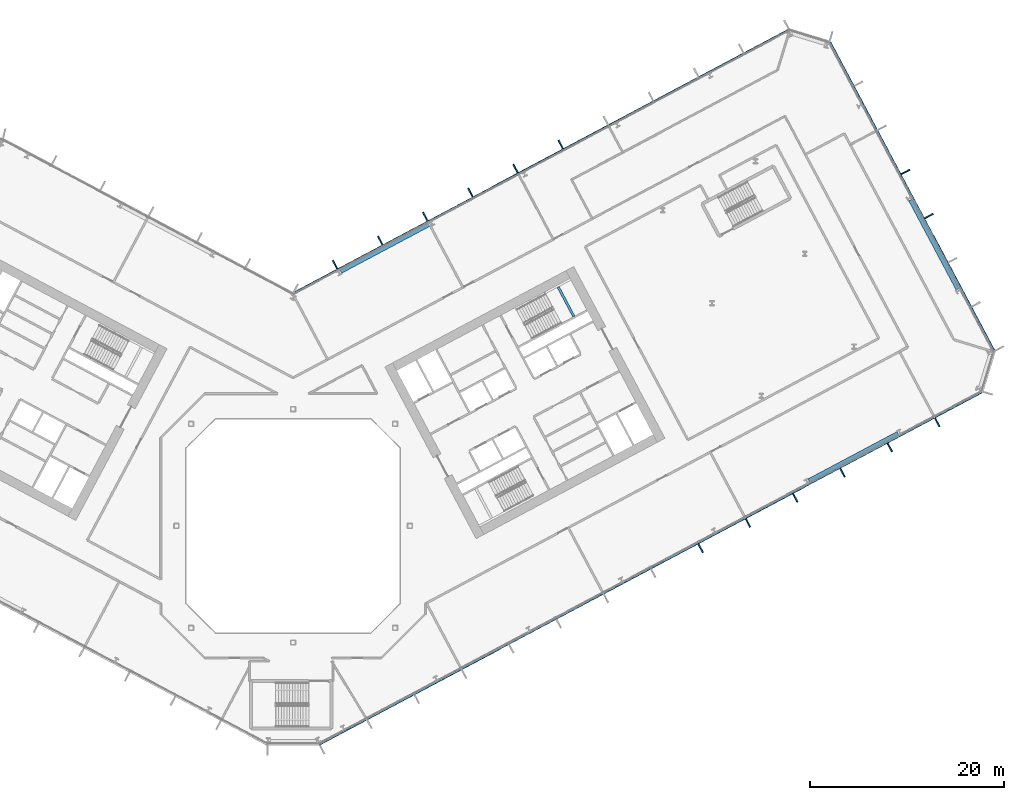
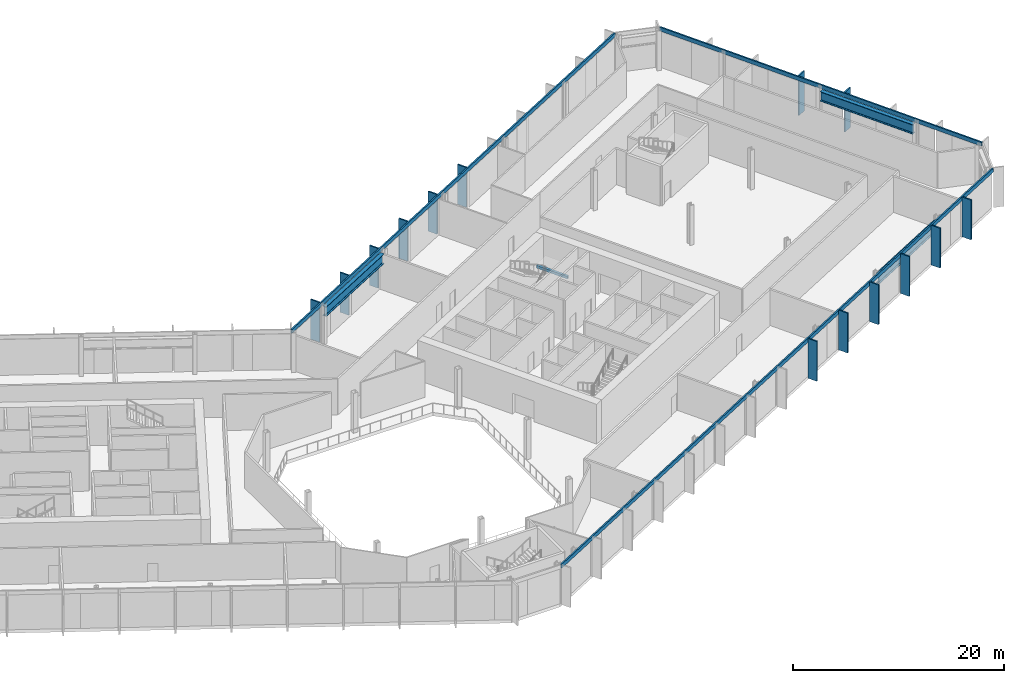
# One storey, part 8 of 31: 17 members, 4 beams, 3 elements without a shape of their own.
"""IFC4 building model written with IfcOpenShell, lengths in metres."""

from ifc_helpers import new_model, si_unit, direction, frame, origin, origin_2d, place, context, subcontext, project, spatial, rectangle, i_section, extrude, material, layer, layer_set, material_profile, profile_set, type_object, element, aggregate, save


model = new_model("IFC4")

# Units and contexts
model_context = context("Model", 3, precision=1e-05, world=origin(), true_north=direction((0.0, 1.0)))
body_context = subcontext(model_context, "Body", "Model", "MODEL_VIEW")
ifc_project = project(units=[si_unit("LENGTHUNIT", "METRE"), si_unit("AREAUNIT", "SQUARE_METRE"), si_unit("VOLUMEUNIT", "CUBIC_METRE"), si_unit("PLANEANGLEUNIT", "RADIAN"), si_unit("MASSUNIT", "GRAM", prefix="KILO")], contexts=[model_context])

# Site, building, storey
site_placement = place(None, origin())
site = spatial("IfcSite", under=ifc_project, at=site_placement, CompositionType="ELEMENT")
building_placement = place(site_placement, origin())
building = spatial("IfcBuilding", under=site, at=building_placement, Name="Cormorant Relay Tower", CompositionType="ELEMENT")
storey_placement = place(building_placement, frame((0.0, 0.0, 107.60009765625)))
storey = spatial("IfcBuildingStorey", under=building, at=storey_placement, Name="L21", CompositionType="ELEMENT", Elevation=107.60009765625)

# Curtain wall, members
ifc_material_1 = material(Name="Aluminium 6063-T6 anodised bronze", Category="aluminium")
ifc_layer = layer(ifc_material_1, 0.199951171875)
ifc_layer_set = layer_set([ifc_layer], Name="CW1 unitised bronze curtain wall with vertical fins")
curtain_wall_type = type_object("IfcCurtainWallType", Name="CW1 unitised bronze curtain wall with vertical fins", PredefinedType="NOTDEFINED", material=ifc_layer_set)
curtain_wall_1_placement = place(storey_placement, origin())
curtain_wall_1 = element("IfcCurtainWall", 1, at=curtain_wall_1_placement, inside=storey, type_object=curtain_wall_type, Name="CW1 curtain wall 2", PredefinedType="NOTDEFINED")
ifc_material_2 = material(Name="Aluminium 6063-T6 anodised bronze", Category="aluminium")
ifc_material_profile_1 = material_profile(ifc_material_2, rectangle(XDim=0.14990234375, YDim=1.0, at=origin_2d()), Name="AL 150x1000")
ifc_profile_set_1 = profile_set([ifc_material_profile_1], Name="Aluminium 6063-T6 anodised bronze")
member_type_1 = type_object("IfcMemberType", Name="CW1 bronze fin mullion 150 x 1000", PredefinedType="MULLION", material=ifc_profile_set_1)
member_1_placement = place(storey_placement, frame((41.910888671875, -2.29248046875, 0.0), z_axis=(0.0, 0.0, 1.0), x_axis=(0.882947592859, 0.469471562786, 0.0)))
member_1 = element("IfcMember", 2, at=member_1_placement, type_object=member_type_1, Name="CW1 fin 2.9", PredefinedType="MULLION", context=body_context, shape_type="SweptSolid", body=[
    extrude(rectangle(XDim=0.14990234375, YDim=1.0, at=origin_2d()), origin(), (0.0, 0.0, 1.0), 4.599853515625),
])
member_2_placement = place(storey_placement, frame((46.777587890625, 0.29541015625, 0.0), z_axis=(0.0, 0.0, 1.0), x_axis=(0.882947592859, 0.469471562786, 0.0)))
member_2 = element("IfcMember", 3, at=member_2_placement, type_object=member_type_1, Name="CW1 fin 2.10", PredefinedType="MULLION", context=body_context, shape_type="SweptSolid", body=[
    extrude(rectangle(XDim=0.14990234375, YDim=1.0, at=origin_2d()), origin(), (0.0, 0.0, 1.0), 4.599853515625),
])
member_3_placement = place(storey_placement, frame((51.644287109375, 2.8828125, 0.0), z_axis=(0.0, 0.0, 1.0), x_axis=(0.882947592859, 0.469471562786, 0.0)))
member_3 = element("IfcMember", 4, at=member_3_placement, type_object=member_type_1, Name="CW1 fin 2.11", PredefinedType="MULLION", context=body_context, shape_type="SweptSolid", body=[
    extrude(rectangle(XDim=0.14990234375, YDim=1.0, at=origin_2d()), origin(), (0.0, 0.0, 1.0), 4.599853515625),
])
member_4_placement = place(storey_placement, frame((56.510986328125, 5.470703125, 0.0), z_axis=(0.0, 0.0, 1.0), x_axis=(0.882947592859, 0.469471562786, 0.0)))
member_4 = element("IfcMember", 5, at=member_4_placement, type_object=member_type_1, Name="CW1 fin 2.12", PredefinedType="MULLION", context=body_context, shape_type="SweptSolid", body=[
    extrude(rectangle(XDim=0.14990234375, YDim=1.0, at=origin_2d()), origin(), (0.0, 0.0, 1.0), 4.599853515625),
])
member_5_placement = place(storey_placement, frame((61.377685546875, 8.058349609375, 0.0), z_axis=(0.0, 0.0, 1.0), x_axis=(0.882947592859, 0.469471562786, 0.0)))
member_5 = element("IfcMember", 6, at=member_5_placement, type_object=member_type_1, Name="CW1 fin 2.13", PredefinedType="MULLION", context=body_context, shape_type="SweptSolid", body=[
    extrude(rectangle(XDim=0.14990234375, YDim=1.0, at=origin_2d()), origin(), (0.0, 0.0, 1.0), 4.599853515625),
])
member_6_placement = place(storey_placement, frame((66.244140625, 10.64599609375, 0.0), z_axis=(0.0, 0.0, 1.0), x_axis=(0.882947592859, 0.469471562786, 0.0)))
member_6 = element("IfcMember", 7, at=member_6_placement, type_object=member_type_1, Name="CW1 fin 2.14", PredefinedType="MULLION", context=body_context, shape_type="SweptSolid", body=[
    extrude(rectangle(XDim=0.14990234375, YDim=1.0, at=origin_2d()), origin(), (0.0, 0.0, 1.0), 4.599853515625),
])

curtain_wall_2_placement = place(storey_placement, origin())
curtain_wall_2 = element("IfcCurtainWall", 8, at=curtain_wall_2_placement, inside=storey, type_object=curtain_wall_type, Name="CW1 curtain wall 4", PredefinedType="NOTDEFINED")
member_7_placement = place(storey_placement, frame((65.3974609375, 31.860107421875, 0.0), z_axis=(0.0, 0.0, 1.0), x_axis=(-0.469471562786, 0.882947592859, 0.0)))
member_7 = element("IfcMember", 9, at=member_7_placement, type_object=member_type_1, Name="CW1 fin 4.4", PredefinedType="MULLION", context=body_context, shape_type="SweptSolid", body=[
    extrude(rectangle(XDim=0.14990234375, YDim=1.0, at=origin_2d()), origin(), (0.0, 0.0, 1.0), 4.599853515625),
])
member_8_placement = place(storey_placement, frame((62.983154296875, 36.40087890625, 0.0), z_axis=(0.0, 0.0, 1.0), x_axis=(-0.469471562786, 0.882947592859, 0.0)))
member_8 = element("IfcMember", 10, at=member_8_placement, type_object=member_type_1, Name="CW1 fin 4.5", PredefinedType="MULLION", context=body_context, shape_type="SweptSolid", body=[
    extrude(rectangle(XDim=0.14990234375, YDim=1.0, at=origin_2d()), origin(), (0.0, 0.0, 1.0), 4.599853515625),
])

curtain_wall_3_placement = place(storey_placement, origin())
curtain_wall_3 = element("IfcCurtainWall", 11, at=curtain_wall_3_placement, inside=storey, type_object=curtain_wall_type, Name="CW1 curtain wall 6", PredefinedType="NOTDEFINED")
member_9_placement = place(storey_placement, frame((27.524658203125, 39.2119140625, 0.0), z_axis=(0.0, 0.0, 1.0), x_axis=(-0.882947592859, -0.469471562786, 0.0)))
member_9 = element("IfcMember", 12, at=member_9_placement, type_object=member_type_1, Name="CW1 fin 6.6", PredefinedType="MULLION", context=body_context, shape_type="SweptSolid", body=[
    extrude(rectangle(XDim=0.14990234375, YDim=1.0, at=origin_2d()), origin(), (0.0, 0.0, 1.0), 4.599853515625),
])
member_10_placement = place(storey_placement, frame((22.882568359375, 36.74365234375, 0.0), z_axis=(0.0, 0.0, 1.0), x_axis=(-0.882947592859, -0.469471562786, 0.0)))
member_10 = element("IfcMember", 13, at=member_10_placement, type_object=member_type_1, Name="CW1 fin 6.7", PredefinedType="MULLION", context=body_context, shape_type="SweptSolid", body=[
    extrude(rectangle(XDim=0.14990234375, YDim=1.0, at=origin_2d()), origin(), (0.0, 0.0, 1.0), 4.599853515625),
])
member_11_placement = place(storey_placement, frame((18.240234375, 34.275390625, 0.0), z_axis=(0.0, 0.0, 1.0), x_axis=(-0.882947592859, -0.469471562786, 0.0)))
member_11 = element("IfcMember", 14, at=member_11_placement, type_object=member_type_1, Name="CW1 fin 6.8", PredefinedType="MULLION", context=body_context, shape_type="SweptSolid", body=[
    extrude(rectangle(XDim=0.14990234375, YDim=1.0, at=origin_2d()), origin(), (0.0, 0.0, 1.0), 4.599853515625),
])
member_12_placement = place(storey_placement, frame((13.597900390625, 31.806884765625, 0.0), z_axis=(0.0, 0.0, 1.0), x_axis=(-0.882947592859, -0.469471562786, 0.0)))
member_12 = element("IfcMember", 15, at=member_12_placement, type_object=member_type_1, Name="CW1 fin 6.9", PredefinedType="MULLION", context=body_context, shape_type="SweptSolid", body=[
    extrude(rectangle(XDim=0.14990234375, YDim=1.0, at=origin_2d()), origin(), (0.0, 0.0, 1.0), 4.599853515625),
])
member_13_placement = place(storey_placement, frame((8.955810546875, 29.338623046875, 0.0), z_axis=(0.0, 0.0, 1.0), x_axis=(-0.882947592859, -0.469471562786, 0.0)))
member_13 = element("IfcMember", 16, at=member_13_placement, type_object=member_type_1, Name="CW1 fin 6.10", PredefinedType="MULLION", context=body_context, shape_type="SweptSolid", body=[
    extrude(rectangle(XDim=0.14990234375, YDim=1.0, at=origin_2d()), origin(), (0.0, 0.0, 1.0), 4.599853515625),
])
member_14_placement = place(storey_placement, frame((4.313720703125, 26.870361328125, 0.0), z_axis=(0.0, 0.0, 1.0), x_axis=(-0.882947592859, -0.469471562786, 0.0)))
member_14 = element("IfcMember", 17, at=member_14_placement, type_object=member_type_1, Name="CW1 fin 6.11", PredefinedType="MULLION", context=body_context, shape_type="SweptSolid", body=[
    extrude(rectangle(XDim=0.14990234375, YDim=1.0, at=origin_2d()), origin(), (0.0, 0.0, 1.0), 4.599853515625),
])

# Member
ifc_material_3 = material(Name="Aluminium 6063-T6 anodised bronze", Category="aluminium")
ifc_material_profile_2 = material_profile(ifc_material_3, rectangle(XDim=0.159912109375, YDim=0.449951171875, at=origin_2d()), Name="AL 160x450")
ifc_profile_set_2 = profile_set([ifc_material_profile_2], Name="Aluminium 6063-T6 anodised bronze")
member_type_2 = type_object("IfcMemberType", Name="CW1 bronze transom 160 x 450", PredefinedType="USERDEFINED", material=ifc_profile_set_2)
member_15_placement = place(storey_placement, frame((2.705078125, -22.4814453125, 4.375), z_axis=(0.882948654677, 0.46946956579, 0.0), x_axis=(-0.46946956579, 0.882948654677, 0.0)))
member_15 = element("IfcMember", 18, at=member_15_placement, type_object=member_type_2, Name="CW1 transom 2", ObjectType="TRANSOM", PredefinedType="USERDEFINED", context=body_context, shape_type="SweptSolid", body=[
    extrude(rectangle(XDim=0.159912109375, YDim=0.449951171875, at=origin_2d()), origin(), (0.0, 0.0, 1.0), 77.166015625),
])

aggregate(curtain_wall_1, [member_1, member_2, member_3, member_4, member_5, member_6, member_15])

member_16_placement = place(storey_placement, frame((72.128662109375, 17.965087890625, 4.375), z_axis=(-0.469469230355, 0.88294883303, 0.0), x_axis=(-0.88294883303, -0.469469230355, 0.0)))
member_16 = element("IfcMember", 19, at=member_16_placement, type_object=member_type_2, Name="CW1 transom 4", ObjectType="TRANSOM", PredefinedType="USERDEFINED", context=body_context, shape_type="SweptSolid", body=[
    extrude(rectangle(XDim=0.159912109375, YDim=0.449951171875, at=origin_2d()), origin(), (0.0, 0.0, 1.0), 36.0),
])

aggregate(curtain_wall_2, [member_7, member_8, member_16])

member_17_placement = place(storey_placement, frame((51.008056640625, 51.04150390625, 4.375), z_axis=(-0.882946446228, -0.469473719279, 0.0), x_axis=(0.469473719279, -0.882946446228, 0.0)))
member_17 = element("IfcMember", 20, at=member_17_placement, type_object=member_type_2, Name="CW1 transom 6", ObjectType="TRANSOM", PredefinedType="USERDEFINED", context=body_context, shape_type="SweptSolid", body=[
    extrude(rectangle(XDim=0.159912109375, YDim=0.449951171875, at=origin_2d()), origin(), (0.0, 0.0, 1.0), 57.834228515625),
])

aggregate(curtain_wall_3, [member_9, member_10, member_11, member_12, member_13, member_14, member_17])

# Beams
ifc_material_4 = material(Name="Steel ASTM A992 (Fy 345 MPa)", Category="steel")
ifc_material_profile_3 = material_profile(ifc_material_4, i_section(OverallWidth=0.40380859375, OverallDepth=1.11767578125, WebThickness=0.026123046875, FlangeThickness=0.044921875, FilletRadius=0.02001953125, at=origin_2d()), Name="W1100x499")
ifc_profile_set_3 = profile_set([ifc_material_profile_3], Name="Steel ASTM A992 (Fy 345 MPa)")
beam_type_1 = type_object("IfcBeamType", Name="Spandrel W1100x499", PredefinedType="SPANDREL", material=ifc_profile_set_3)
for number, where, z_axis, x_axis, name in (
    (21, (53.0390625, 4.64599609375, 3.591064453125), (0.882937138632, 0.469491223799, 0.0), (-0.469491223799, 0.882937138632, 0.0), "Spandrel beam L21-002"),
    (22, (68.364990234375, 24.358154296875, 3.591064453125), (-0.469491223799, 0.882937138632, 0.0), (-0.882937138632, -0.469491223799, 0.0), "Spandrel beam L21-004"),
    (23, (14.06494140625, 31.03369140625, 3.591064453125), (-0.882946891921, -0.469472881056, 0.0), (0.469472881056, -0.882946891921, 0.0), "Spandrel beam L21-006"),
):
    element("IfcBeam", number, at=place(storey_placement, frame(where, z_axis=z_axis, x_axis=x_axis)), inside=storey, type_object=beam_type_1, Name=name, PredefinedType="SPANDREL", context=body_context, shape_type="SweptSolid", body=[
        extrude(i_section(OverallWidth=0.40380859375, OverallDepth=1.11767578125, WebThickness=0.026123046875, FlangeThickness=0.044921875, FilletRadius=0.02001953125, at=origin_2d()), origin(), (0.0, 0.0, 1.0), 10.376220703125),
    ])
ifc_material_5 = material(Name="Concrete 50 MPa", Category="concrete")
ifc_material_profile_4 = material_profile(ifc_material_5, rectangle(XDim=0.25, YDim=0.300048828125, at=origin_2d()), Name="RC 250x300")
ifc_profile_set_4 = profile_set([ifc_material_profile_4], Name="Concrete 50 MPa")
beam_type_2 = type_object("IfcBeamType", Name="Stair landing ledge beam 250x300", PredefinedType="BEAM", material=ifc_profile_set_4)
beam_placement = place(storey_placement, frame((28.878662109375, 21.527587890625, 1.949951171875), z_axis=(-0.469463917486, 0.882951657895, 0.0), x_axis=(-0.882951657895, -0.469463917486, 0.0)))
element("IfcBeam", 24, at=beam_placement, inside=storey, type_object=beam_type_2, Name="B2 landing ledge beam", PredefinedType="BEAM", context=body_context, shape_type="SweptSolid", body=[
    extrude(rectangle(XDim=0.25, YDim=0.300048828125, at=origin_2d()), origin(), (0.0, 0.0, 1.0), 3.449951171875),
])

save(model, "model.ifc")
